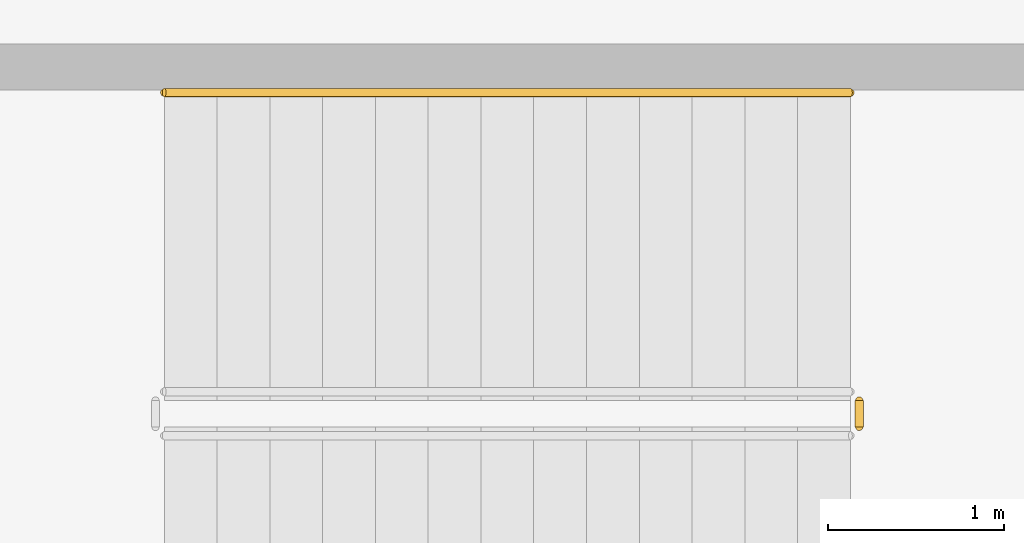
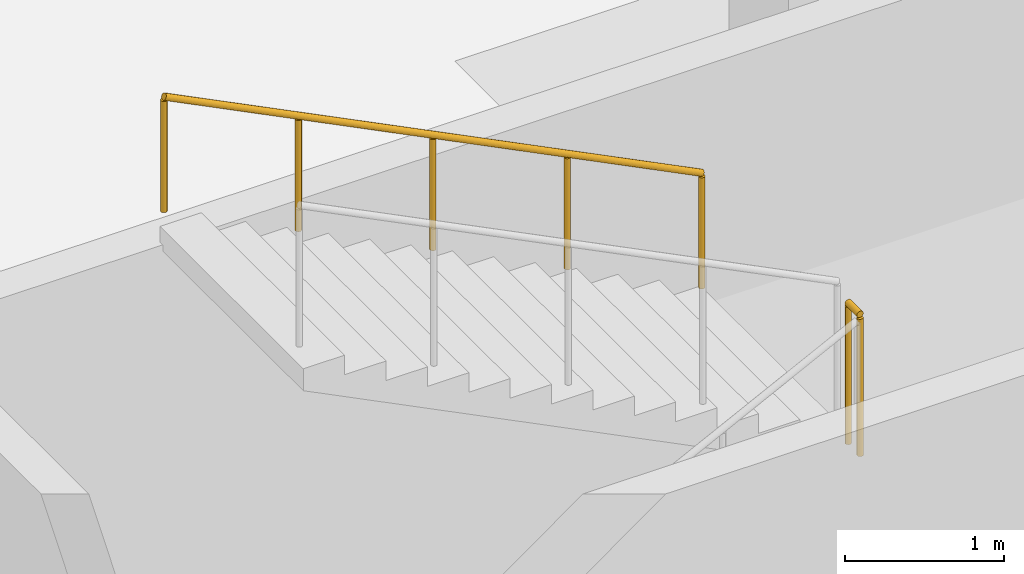
# One storey, part 51 of 54: 2 railings.
"""IFC4 building model written with IfcOpenShell, lengths in metres."""

from ifc_helpers import new_model, si_unit, direction, frame, origin, origin_2d, place, context, subcontext, project, spatial, circle, extrude, material, type_object, element, save


model = new_model("IFC4")

# Units and contexts
model_context = context("Model", 3, precision=1e-05, world=origin(), true_north=direction((0.0, 1.0)))
body_context = subcontext(model_context, "Body", "Model", "MODEL_VIEW")
ifc_project = project(units=[si_unit("LENGTHUNIT", "METRE"), si_unit("AREAUNIT", "SQUARE_METRE"), si_unit("VOLUMEUNIT", "CUBIC_METRE"), si_unit("PLANEANGLEUNIT", "RADIAN"), si_unit("MASSUNIT", "GRAM", prefix="KILO")], contexts=[model_context])

# Site, building, storey
site_placement = place(None, origin())
site = spatial("IfcSite", under=ifc_project, at=site_placement, CompositionType="ELEMENT")
building_placement = place(site_placement, origin())
building = spatial("IfcBuilding", under=site, at=building_placement, Name="Zevrakil Square Congress Hotel", CompositionType="ELEMENT")
storey_placement = place(building_placement, frame((0.0, 0.0, -8.39990234375)))
storey = spatial("IfcBuildingStorey", under=building, at=storey_placement, Name="B2", CompositionType="ELEMENT", Elevation=-8.39990234375)

# Railings
ifc_material_1 = material(Name="Steel S355", Category="steel")
railing_type_1 = type_object("IfcRailingType", Name="RLG-STAIR-GUARD-1100", PredefinedType="BALUSTRADE", material=ifc_material_1)
railing_1_placement = place(storey_placement, frame((61.35009765625, 87.0, 2.099853515625)))
element("IfcRailing", 1, at=railing_1_placement, inside=storey, type_object=railing_type_1, Name="B2 ST05 stair guard 2", PredefinedType="BALUSTRADE", context=body_context, shape_type="SweptSolid", body=[
    extrude(circle(Radius=0.02392578125, at=origin_2d()), frame((0.0, 0.0, 1.076171875), z_axis=(0.0, 1.0, 0.0), x_axis=(-1.0, 0.0, 0.0)), (0.0, 0.0, 1.0), 0.14990234375),
    extrude(circle(Radius=0.02099609375, at=origin_2d()), origin(), (0.0, 0.0, 1.0), 1.052001953125),
    extrude(circle(Radius=0.02099609375, at=origin_2d()), frame((0.0, 0.14990234375, 0.0)), (0.0, 0.0, 1.0), 1.052001953125),
])
ifc_material_2 = material(Name="Steel S355", Category="steel")
railing_type_2 = type_object("IfcRailingType", Name="RLG-STAIR-HAND-900", PredefinedType="HANDRAIL", material=ifc_material_2)
railing_2_placement = place(storey_placement, frame((61.300048828125, 88.89990234375, 2.25)))
element("IfcRailing", 2, at=railing_2_placement, inside=storey, type_object=railing_type_2, Name="B2 ST05 stair handrail 2", PredefinedType="HANDRAIL", context=body_context, shape_type="SweptSolid", body=[
    extrude(circle(Radius=0.02392578125, at=origin_2d()), frame((0.0, 0.0, 0.8759765625), z_axis=(-0.894438388696, 0.0, 0.447191199406), x_axis=(0.0, -1.0, 0.0)), (0.0, 0.0, 1.0), 4.3603515625),
    extrude(circle(Radius=0.02099609375, at=origin_2d()), origin(), (0.0, 0.0, 1.0), 0.851806640625),
    extrude(circle(Radius=0.02099609375, at=origin_2d()), frame((-0.97509765625, 0.0, 0.487548828125)), (0.0, 0.0, 1.0), 0.851806640625),
    extrude(circle(Radius=0.02099609375, at=origin_2d()), frame((-1.9501953125, 0.0, 0.97509765625)), (0.0, 0.0, 1.0), 0.851806640625),
    extrude(circle(Radius=0.02099609375, at=origin_2d()), frame((-2.925048828125, 0.0, 1.46240234375)), (0.0, 0.0, 1.0), 0.851806640625),
    extrude(circle(Radius=0.02099609375, at=origin_2d()), frame((-3.900146484375, 0.0, 1.949951171875)), (0.0, 0.0, 1.0), 0.851806640625),
])

save(model, "model.ifc")
